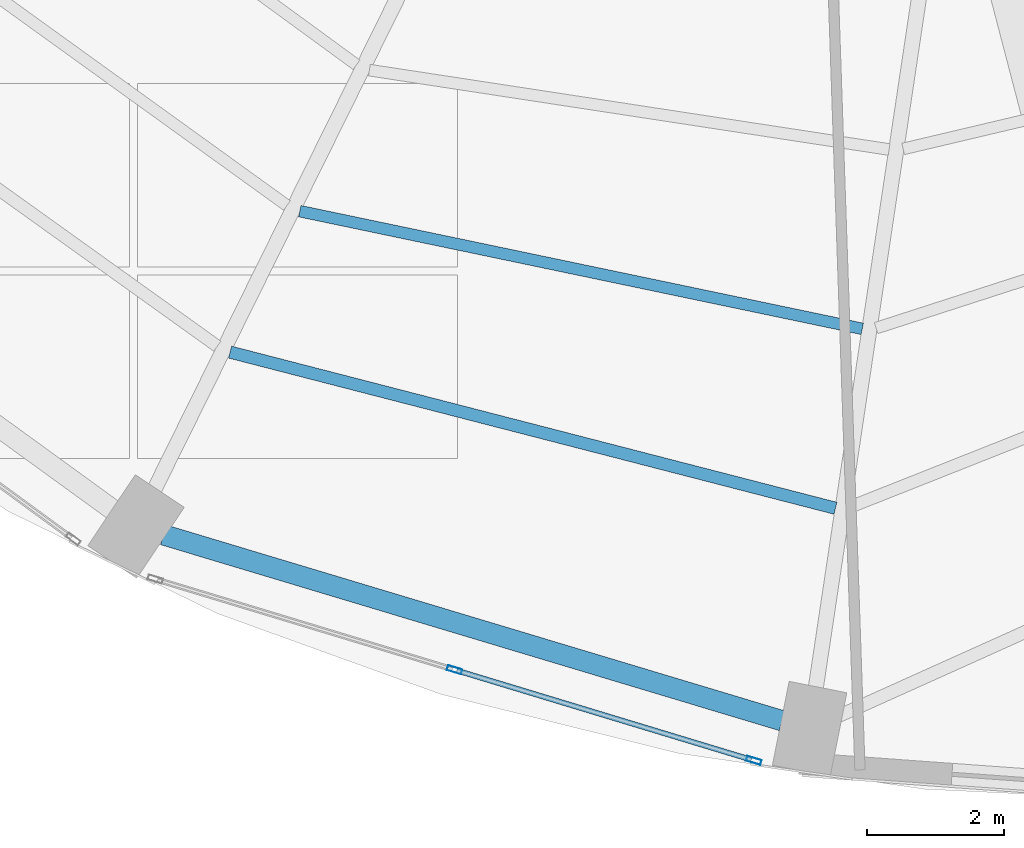
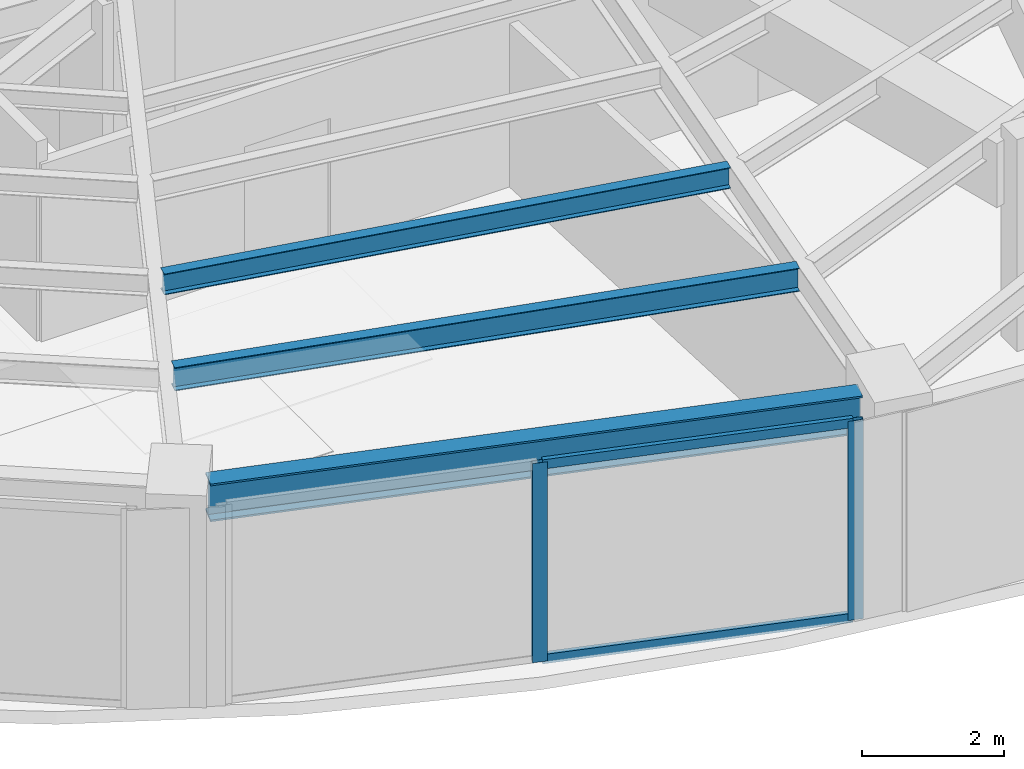
# One storey, part 5 of 24: 4 members, 3 beams, 1 element without a shape of its own.
"""IFC4 building model written with IfcOpenShell, lengths in metres."""

from ifc_helpers import new_model, si_unit, direction, frame, origin, origin_2d, place, context, subcontext, project, spatial, hollow_rectangle, i_section, extrude, material, layer, layer_set, material_profile, profile_set, type_object, element, aggregate, save


model = new_model("IFC4")

# Units and contexts
model_context = context("Model", 3, precision=1e-05, world=origin(), true_north=direction((0.0, 1.0)))
body_context = subcontext(model_context, "Body", "Model", "MODEL_VIEW")
ifc_project = project(units=[si_unit("LENGTHUNIT", "METRE"), si_unit("AREAUNIT", "SQUARE_METRE"), si_unit("VOLUMEUNIT", "CUBIC_METRE"), si_unit("PLANEANGLEUNIT", "RADIAN"), si_unit("MASSUNIT", "GRAM", prefix="KILO")], contexts=[model_context])

# Site, building, storey
site_placement = place(None, origin())
site = spatial("IfcSite", under=ifc_project, at=site_placement, CompositionType="ELEMENT")
building_placement = place(site_placement, origin())
building = spatial("IfcBuilding", under=site, at=building_placement, Name="Lazwardi Medical Tower", CompositionType="ELEMENT")
storey_placement = place(building_placement, frame((0.0, 0.0, 68.97607421875)))
storey = spatial("IfcBuildingStorey", under=building, at=storey_placement, Name="L17", CompositionType="ELEMENT", Elevation=68.97607421875)

# Beams
ifc_material_1 = material(Name="Steel S355", Category="steel")
ifc_material_profile_1 = material_profile(ifc_material_1, i_section(OverallWidth=0.300048828125, OverallDepth=0.64990234375, WebThickness=0.01611328125, FlangeThickness=0.031005859375, at=origin_2d()), Name="HEB 650")
ifc_profile_set_1 = profile_set([ifc_material_profile_1], Name="Steel S355")
beam_type_1 = type_object("IfcBeamType", Name="BM-RB-Z1", PredefinedType="BEAM", material=ifc_profile_set_1)
beam_1_placement = place(storey_placement, frame((21.22119140625, 8.9951171875, 3.10302734375), z_axis=(0.957695289269, -0.287784177662, 0.0), x_axis=(0.287784177662, 0.957695289269, 0.0)))
element("IfcBeam", 1, at=beam_1_placement, inside=storey, type_object=beam_type_1, Name="Ring beam RB-02 B15 L17", PredefinedType="BEAM", context=body_context, shape_type="SweptSolid", body=[
    extrude(i_section(OverallWidth=0.300048828125, OverallDepth=0.64990234375, WebThickness=0.01611328125, FlangeThickness=0.031005859375, at=origin_2d()), origin(), (0.0, 0.0, 1.0), 9.445556640625),
])
ifc_material_profile_2 = material_profile(ifc_material_1, i_section(OverallWidth=0.179931640625, OverallDepth=0.39990234375, WebThickness=0.008544921875, FlangeThickness=0.013427734375, at=origin_2d()), Name="IPE 400")
ifc_profile_set_2 = profile_set([ifc_material_profile_2], Name="Steel S355")
beam_type_2 = type_object("IfcBeamType", Name="BM-SJ-01", PredefinedType="JOIST", material=ifc_profile_set_2)
beam_2_placement = place(storey_placement, frame((22.195068359375, 11.666748046875, 3.22802734375), z_axis=(0.968316918308, -0.249724539682, 0.0), x_axis=(0.249724539682, 0.968316918308, 0.0)))
element("IfcBeam", 2, at=beam_2_placement, inside=storey, type_object=beam_type_2, Name="Secondary joist SJ-01 R1 B15 L17", PredefinedType="JOIST", context=body_context, shape_type="SweptSolid", body=[
    extrude(i_section(OverallWidth=0.179931640625, OverallDepth=0.39990234375, WebThickness=0.008544921875, FlangeThickness=0.013427734375, at=origin_2d()), origin(), (0.0, 0.0, 1.0), 9.140869140625),
])
ifc_material_profile_3 = material_profile(ifc_material_1, i_section(OverallWidth=0.169921875, OverallDepth=0.360107421875, WebThickness=0.008056640625, FlangeThickness=0.0126953125, at=origin_2d()), Name="IPE 360")
ifc_profile_set_3 = profile_set([ifc_material_profile_3], Name="Steel S355")
beam_type_3 = type_object("IfcBeamType", Name="BM-SJ-02", PredefinedType="JOIST", material=ifc_profile_set_3)
beam_3_placement = place(storey_placement, frame((23.213623046875, 13.728271484375, 3.248046875), z_axis=(0.978809182847, -0.204774470026, 0.0), x_axis=(0.204774470026, 0.978809182847, 0.0)))
element("IfcBeam", 3, at=beam_3_placement, inside=storey, type_object=beam_type_3, Name="Secondary joist SJ-02 R2 B15 L17", PredefinedType="JOIST", context=body_context, shape_type="SweptSolid", body=[
    extrude(i_section(OverallWidth=0.169921875, OverallDepth=0.360107421875, WebThickness=0.008056640625, FlangeThickness=0.0126953125, at=origin_2d()), origin(), (0.0, 0.0, 1.0), 8.40283203125),
])

# Curtain wall, members
ifc_material_2 = material(Name="Anodised bronze aluminium and solar control glazing", Category="aluminium")
ifc_layer = layer(ifc_material_2, 0.199951171875)
ifc_layer_set = layer_set([ifc_layer], Name="Anodised bronze aluminium and solar control glazing")
curtain_wall_type = type_object("IfcCurtainWallType", Name="CW-SYS-02", PredefinedType="NOTDEFINED", material=ifc_layer_set)
curtain_wall_placement = place(storey_placement, origin())
curtain_wall = element("IfcCurtainWall", 4, at=curtain_wall_placement, inside=storey, type_object=curtain_wall_type, Name="L17 Unitised bronze curtain wall CW-02", PredefinedType="NOTDEFINED")
ifc_material_3 = material(Name="Anodised bronze aluminium", Category="aluminium")
ifc_material_profile_4 = material_profile(ifc_material_3, hollow_rectangle(XDim=0.074951171875, YDim=0.219970703125, WallThickness=0.00390625, at=origin_2d()), Name="ALU-MULLION 220x75x4")
ifc_profile_set_4 = profile_set([ifc_material_profile_4], Name="Anodised bronze aluminium")
member_type_1 = type_object("IfcMemberType", Name="CW-MUL-01", PredefinedType="MULLION", material=ifc_profile_set_4)
member_1_placement = place(storey_placement, frame((25.476806640625, 7.021484375, 0.0), z_axis=(0.0, 0.0, 1.0), x_axis=(0.2898956909, 0.957058247129, 0.0)))
member_1 = element("IfcMember", 5, at=member_1_placement, type_object=member_type_1, Name="CW-02 mullion 2", PredefinedType="MULLION", context=body_context, shape_type="SweptSolid", body=[
    extrude(hollow_rectangle(XDim=0.074951171875, YDim=0.219970703125, WallThickness=0.00390625, at=origin_2d()), origin(), (0.0, 0.0, 1.0), 3.427978515625),
])
member_2_placement = place(storey_placement, frame((29.85205078125, 5.6962890625, 0.0), z_axis=(0.0, 0.0, 1.0), x_axis=(0.2898956909, 0.957058247129, 0.0)))
member_2 = element("IfcMember", 6, at=member_2_placement, type_object=member_type_1, Name="CW-02 mullion 3", PredefinedType="MULLION", context=body_context, shape_type="SweptSolid", body=[
    extrude(hollow_rectangle(XDim=0.074951171875, YDim=0.219970703125, WallThickness=0.00390625, at=origin_2d()), origin(), (0.0, 0.0, 1.0), 3.427978515625),
])
ifc_material_profile_5 = material_profile(ifc_material_3, hollow_rectangle(XDim=0.074951171875, YDim=0.159912109375, WallThickness=0.00390625, at=origin_2d()), Name="ALU-TRANSOM 160x75x4")
ifc_profile_set_5 = profile_set([ifc_material_profile_5], Name="Anodised bronze aluminium")
member_type_2 = type_object("IfcMemberType", Name="CW-TRN-01", PredefinedType="USERDEFINED", material=ifc_profile_set_5)
member_3_placement = place(storey_placement, frame((25.5126953125, 7.0107421875, 0.037353515625), z_axis=(0.957047233423, -0.28993204893, 0.0), x_axis=(0.28993204893, 0.957047233423, 0.0)))
member_3 = element("IfcMember", 7, at=member_3_placement, type_object=member_type_2, Name="CW-02 transom 2.1", ObjectType="TRANSOM", PredefinedType="USERDEFINED", context=body_context, shape_type="SweptSolid", body=[
    extrude(hollow_rectangle(XDim=0.074951171875, YDim=0.159912109375, WallThickness=0.00390625, at=origin_2d()), origin(), (0.0, 0.0, 1.0), 4.49658203125),
])
member_4_placement = place(storey_placement, frame((25.5126953125, 7.0107421875, 3.390380859375), z_axis=(0.957047233423, -0.28993204893, 0.0), x_axis=(0.28993204893, 0.957047233423, 0.0)))
member_4 = element("IfcMember", 8, at=member_4_placement, type_object=member_type_2, Name="CW-02 transom 2.2", ObjectType="TRANSOM", PredefinedType="USERDEFINED", context=body_context, shape_type="SweptSolid", body=[
    extrude(hollow_rectangle(XDim=0.074951171875, YDim=0.159912109375, WallThickness=0.00390625, at=origin_2d()), origin(), (0.0, 0.0, 1.0), 4.49658203125),
])
aggregate(curtain_wall, [member_1, member_2, member_3, member_4])

save(model, "model.ifc")
